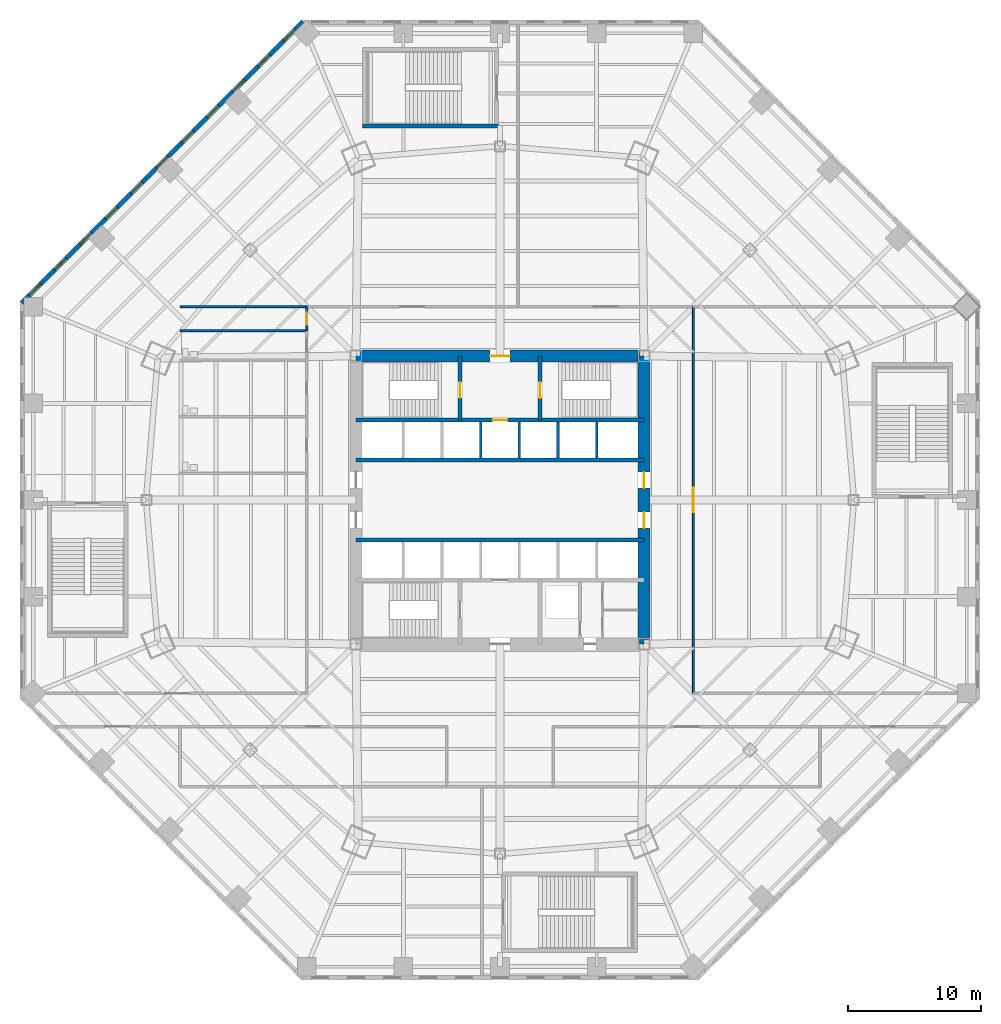
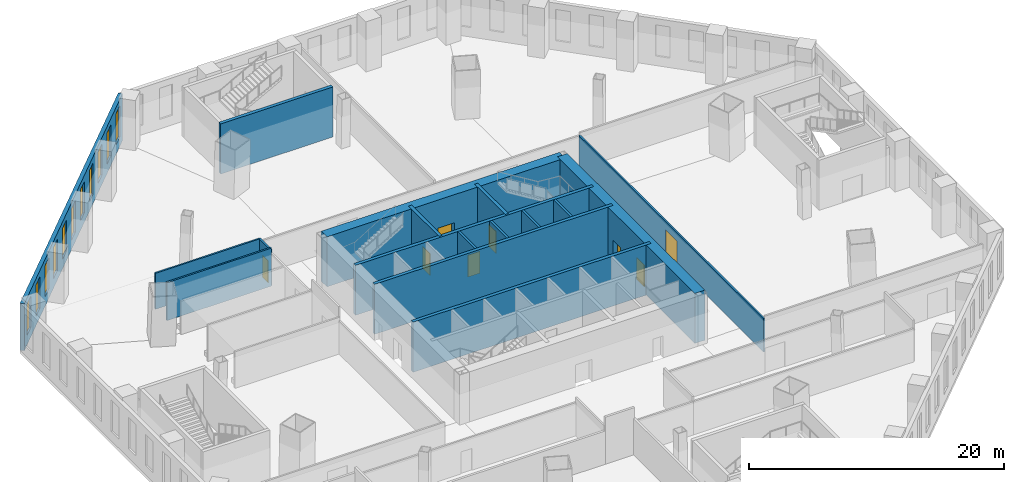
# One storey, part 12 of 19: 17 walls, 11 windows, 8 doors, 19 openings.
"""IFC4 building model written with IfcOpenShell, lengths in metres."""

import ifcopenshell
import ifcopenshell.guid

model = None  # the IFC model being written
_history = None  # IfcOwnerHistory: only IFC2X3 demands one
_inside = {}  # id of a spatial element -> (the spatial element, [elements in it])
_under = {}  # id of a project, library or spatial element -> (it, [spatial elements below it])
_declared = {}  # id of a project -> (the project, [libraries it declares])
_typed = {}  # id of a type object -> (the type object, [elements of that type])
_made_of = {}  # id of a material, layer set ... -> (it, [elements and type objects made of it])


def new_model(schema):
    """Start an empty IFC model of exactly this schema.

    Asked for "IFC4X3", IfcOpenShell would pick the latest addendum, in which some entities
    have other attributes; the version numbers below select the first issue.
    IFC2X3 requires an IfcOwnerHistory on every rooted entity: one is made here for all.
    """
    global model, _history
    if schema == "IFC4X3":
        model = ifcopenshell.file(schema_version=(4, 3, 0, 0))
    else:
        model = ifcopenshell.file(schema=schema)
    _inside.clear()
    _under.clear()
    _declared.clear()
    _typed.clear()
    _made_of.clear()
    _history = None
    if model.schema == "IFC2X3":
        org = make("IfcOrganization", Name="unknown")
        user = make(
            "IfcPersonAndOrganization",
            ThePerson=make("IfcPerson", FamilyName="unknown"),
            TheOrganization=org,
        )
        app = make(
            "IfcApplication",
            ApplicationDeveloper=org,
            Version="unknown",
            ApplicationFullName="unknown",
            ApplicationIdentifier="unknown",
        )
        _history = make(
            "IfcOwnerHistory",
            OwningUser=user,
            OwningApplication=app,
            ChangeAction="ADDED",
            CreationDate=0,
        )
    return model


def make(cls, **values):
    """One entity of the class cls with the attributes given. An attribute that is None is left unset."""
    return model.create_entity(
        cls, **{name: value for name, value in values.items() if value is not None}
    )


def rooted(cls, **values):
    """An entity with a GlobalId (a new one), such as an element, a storey or a relation."""
    return make(cls, GlobalId=ifcopenshell.guid.new(), OwnerHistory=_history, **values)


def si_unit(unit_type, name, prefix=None):
    """IfcSIUnit, for example si_unit("LENGTHUNIT", "METRE", prefix="MILLI")."""
    return make("IfcSIUnit", UnitType=unit_type, Prefix=prefix, Name=name)


def assignment(units):
    """IfcUnitAssignment: the units of a project."""
    return None if units is None else make("IfcUnitAssignment", Units=units)


def point(xyz):
    """IfcCartesianPoint."""
    return None if xyz is None else make("IfcCartesianPoint", Coordinates=xyz)


def direction(xyz):
    """IfcDirection."""
    return None if xyz is None else make("IfcDirection", DirectionRatios=xyz)


def frame(location, z_axis=None, x_axis=None):
    """IfcAxis2Placement3D, a coordinate frame: its origin and axes. An axis left out is left unset."""
    return make(
        "IfcAxis2Placement3D",
        Location=point(location),
        Axis=direction(z_axis),
        RefDirection=direction(x_axis),
    )


def frame_2d(location, x_axis=None):
    """IfcAxis2Placement2D, a coordinate frame in the plane: its origin and x axis."""
    return make(
        "IfcAxis2Placement2D", Location=point(location), RefDirection=direction(x_axis)
    )


def origin():
    """The frame at (0, 0, 0) with its axes left unset."""
    return frame((0.0, 0.0, 0.0))


def place(relative_to, where):
    """IfcLocalPlacement: puts the frame where relative to a parent placement (None: the world)."""
    return make(
        "IfcLocalPlacement", PlacementRelTo=relative_to, RelativePlacement=where
    )


def context(
    kind, dimensions, precision=None, world=None, true_north=None, identifier=None
):
    """IfcGeometricRepresentationContext, for example the 3D "Model" context."""
    return make(
        "IfcGeometricRepresentationContext",
        ContextIdentifier=identifier,
        ContextType=kind,
        CoordinateSpaceDimension=dimensions,
        Precision=precision,
        WorldCoordinateSystem=world,
        TrueNorth=true_north,
    )


def subcontext(parent, identifier, kind, view, scale=None):
    """IfcGeometricRepresentationSubContext, for example "Body" below "Model"."""
    return make(
        "IfcGeometricRepresentationSubContext",
        ContextIdentifier=identifier,
        ContextType=kind,
        ParentContext=parent,
        TargetScale=scale,
        TargetView=view,
    )


def project(units=None, contexts=None):
    """IfcProject with its units and contexts."""
    return rooted(
        "IfcProject",
        Name="project",
        RepresentationContexts=contexts,
        UnitsInContext=assignment(units),
    )


def spatial(cls, under=None, at=None, **own):
    """A site, building, storey or space (cls), placed at a placement, below another one or the project."""
    s = rooted(cls, ObjectPlacement=at, **own)
    if under is not None:
        _under.setdefault(under.id(), (under, []))[1].append(s)
    return s


def profile(cls, at=None, kind="AREA", **sizes):
    """A parametric profile (cls). Its sizes go by their IFC names, for example OverallWidth=200.0."""
    return make(cls, ProfileType=kind, Position=at, **sizes)


def rectangle(**sizes):
    """IfcRectangleProfileDef."""
    return profile("IfcRectangleProfileDef", **sizes)


def extrude(swept, where, along, depth):
    """IfcExtrudedAreaSolid: the profile swept, set in the frame where, extruded along a direction by depth."""
    return make(
        "IfcExtrudedAreaSolid",
        SweptArea=swept,
        Position=where,
        ExtrudedDirection=direction(along),
        Depth=depth,
    )


def shape(context_of_items, identifier, shape_type, items):
    """IfcShapeRepresentation: the items that make up one representation, for example the "Body"."""
    return make(
        "IfcShapeRepresentation",
        ContextOfItems=context_of_items,
        RepresentationIdentifier=identifier,
        RepresentationType=shape_type,
        Items=items,
    )


def material(Name=None, Category=None):
    """IfcMaterial."""
    return make("IfcMaterial", Name=Name, Category=Category)


def layer(
    of_material, thickness, ventilated=None, Name=None, Category=None, Priority=None
):
    """IfcMaterialLayer: one layer of a wall or slab, of a material (None: an air gap)."""
    return make(
        "IfcMaterialLayer",
        Material=of_material,
        LayerThickness=thickness,
        IsVentilated=ventilated,
        Name=Name,
        Category=Category,
        Priority=Priority,
    )


def layer_set(layers, Name=None):
    """IfcMaterialLayerSet."""
    return make("IfcMaterialLayerSet", MaterialLayers=layers, LayerSetName=Name)


def made_of(thing, what):
    """Note that an element or type object is made of a material, layer set ...; save() writes the relation."""
    if what is not None:
        _made_of.setdefault(what.id(), (what, []))[1].append(thing)
    return thing


def type_object(cls, material=None, **own):
    """A type object (cls), such as IfcWallType, which elements share."""
    return made_of(rooted(cls, **own), material)


def element(
    cls,
    number,
    at=None,
    inside=None,
    cuts=None,
    type_object=None,
    material=None,
    context=None,
    identifier="Body",
    shape_type=None,
    held_by="IfcProductDefinitionShape",
    body=None,
    shapes=None,
    **own,
):
    """One element of the class cls, such as IfcWall. Its Tag is "e" and its number.

    at: its placement. inside: the storey or other place that contains it. cuts: it is an
    opening in that element (IfcRelVoidsElement). A single representation is given by context,
    identifier, shape_type and body (its items); several are given by shapes. held_by: the class
    of the entity that holds the representations. save() writes the other relations.
    """
    e = rooted(cls, Tag="e%d" % number, ObjectPlacement=at, **own)
    if body is not None:
        shapes = [shape(context, identifier, shape_type, body)]
    if shapes is not None:
        e.Representation = make(held_by, Representations=shapes)
    if inside is not None:
        _inside.setdefault(inside.id(), (inside, []))[1].append(e)
    if cuts is not None:
        rooted(
            "IfcRelVoidsElement", RelatingBuildingElement=cuts, RelatedOpeningElement=e
        )
    if type_object is not None:
        _typed.setdefault(type_object.id(), (type_object, []))[1].append(e)
    return made_of(e, material)


def fill(opening, filler):
    """IfcRelFillsElement: the door or window that sits in an opening."""
    return rooted(
        "IfcRelFillsElement",
        RelatingOpeningElement=opening,
        RelatedBuildingElement=filler,
    )


def aggregate(whole, parts):
    """IfcRelAggregates: a whole, such as a stair, and the parts it consists of."""
    return rooted("IfcRelAggregates", RelatingObject=whole, RelatedObjects=parts)


def save(model, path):
    """Write the relations noted so far, then the file.

    IfcRelAggregates (storeys below a building ...), IfcRelContainedInSpatialStructure (elements
    in a storey), IfcRelDefinesByType, IfcRelAssociatesMaterial and IfcRelDeclares: one each for
    every whole, place, type object, material and project.
    """
    for whole, parts in _under.values():
        aggregate(whole, parts)
    for where, things in _inside.values():
        rooted(
            "IfcRelContainedInSpatialStructure",
            RelatedElements=things,
            RelatingStructure=where,
        )
    for kind, things in _typed.values():
        rooted("IfcRelDefinesByType", RelatedObjects=things, RelatingType=kind)
    for what, things in _made_of.values():
        rooted("IfcRelAssociatesMaterial", RelatedObjects=things, RelatingMaterial=what)
    for by, libraries in _declared.values():
        rooted("IfcRelDeclares", RelatingContext=by, RelatedDefinitions=libraries)
    model.write(path)


model = new_model("IFC4")

# Units and contexts
model_context = context("Model", 3, precision=1e-05, world=origin(), true_north=direction((0.0, 1.0)))
body_context = subcontext(model_context, "Body", "Model", "MODEL_VIEW")
ifc_project = project(units=[si_unit("LENGTHUNIT", "METRE"), si_unit("AREAUNIT", "SQUARE_METRE"), si_unit("VOLUMEUNIT", "CUBIC_METRE"), si_unit("PLANEANGLEUNIT", "RADIAN"), si_unit("MASSUNIT", "GRAM", prefix="KILO")], contexts=[model_context])

# Site, building, storey
site_placement = place(None, origin())
site = spatial("IfcSite", under=ifc_project, at=site_placement, CompositionType="ELEMENT")
building_placement = place(site_placement, origin())
building = spatial("IfcBuilding", under=site, at=building_placement, Name="Mashrafa Tower", CompositionType="ELEMENT")
storey_placement = place(building_placement, frame((0.0, 0.0, 24.0)))
storey = spatial("IfcBuildingStorey", under=building, at=storey_placement, Name="L04", CompositionType="ELEMENT", Elevation=24.0)

# Wall
ifc_material_1 = material(Name="Concrete C60/75", Category="concrete")
ifc_layer_1 = layer(ifc_material_1, 0.300048828125)
ifc_layer_set_1 = layer_set([ifc_layer_1], Name="Core wall 300 C60/75")
wall_type_1 = type_object("IfcWallType", Name="Core wall 300 C60/75", PredefinedType="SOLIDWALL", material=ifc_layer_set_1)
wall_1_placement = place(storey_placement, frame((-10.800048828125, 3.0, 0.0), z_axis=(0.0, 0.0, 1.0), x_axis=(1.0, 0.0, 0.0)))
element("IfcWall", 1, at=wall_1_placement, inside=storey, type_object=wall_type_1, Name="Core wall CH-N L04", PredefinedType="SOLIDWALL", context=body_context, shape_type="SweptSolid", body=[
    extrude(rectangle(XDim=21.60009765625, YDim=0.300048828125, at=frame_2d((10.800048828125, 0.0))), origin(), (0.0, 0.0, 1.0), 4.800048828125),
])

# Wall, opening, door
wall_2_placement = place(storey_placement, frame((-10.800048828125, 6.0, 0.0), z_axis=(0.0, 0.0, 1.0), x_axis=(1.0, 0.0, 0.0)))
wall_2 = element("IfcWall", 2, at=wall_2_placement, inside=storey, type_object=wall_type_1, Name="Core wall CB-N L04", PredefinedType="SOLIDWALL", context=body_context, shape_type="SweptSolid", body=[
    extrude(rectangle(XDim=21.60009765625, YDim=0.300048828125, at=frame_2d((10.800048828125, 0.0))), origin(), (0.0, 0.0, 1.0), 4.800048828125),
])
opening_1_placement = place(wall_2_placement, frame((10.25, 0.0, 0.0)))
opening_1 = element("IfcOpeningElement", 3, at=opening_1_placement, cuts=wall_2, Name="Opening 04.F1", PredefinedType="OPENING", context=body_context, shape_type="SweptSolid", body=[
    extrude(rectangle(XDim=1.10009765625, YDim=2.10009765625, at=frame_2d((0.550048828125, 1.050048828125))), frame((0.0, 0.159912109375, 0.0), z_axis=(0.0, -1.0, 0.0), x_axis=(1.0, 0.0, 0.0)), (0.0, 0.0, 1.0), 0.320068359375),
])
ifc_material_2 = material(Name="Steel door", Category="steel")
door_type_1 = type_object("IfcDoorType", Name="Lift landing door 1100 x 2100 90 min", OperationType="DOUBLE_DOOR_SLIDING", PredefinedType="DOOR", material=ifc_material_2)
door_1_placement = place(opening_1_placement, origin())
door_1 = element("IfcDoor", 4, at=door_1_placement, inside=storey, type_object=door_type_1, Name="Lift landing door F1 L04", OperationType="DOUBLE_DOOR_SLIDING", OverallHeight=2.10009765625, OverallWidth=1.10009765625, PredefinedType="DOOR", context=body_context, shape_type="SweptSolid", body=[
    extrude(rectangle(XDim=1.10009765625, YDim=2.10009765625, at=frame_2d((0.550048828125, 1.050048828125))), frame((0.0, 0.02490234375, 0.0), z_axis=(0.0, -1.0, 0.0), x_axis=(1.0, 0.0, 0.0)), (0.0, 0.0, 1.0), 0.050048828125),
])
fill(opening_1, door_1)

wall_3_placement = place(storey_placement, frame((-3.0, 6.0, 0.0), z_axis=(0.0, 0.0, 1.0), x_axis=(0.0, 1.0, 0.0)))
wall_3 = element("IfcWall", 5, at=wall_3_placement, inside=storey, type_object=wall_type_1, Name="Core wall CX-NW L04", PredefinedType="SOLIDWALL", context=body_context, shape_type="SweptSolid", body=[
    extrude(rectangle(XDim=4.800048828125, YDim=0.300048828125, at=frame_2d((2.39990234375, 0.0))), origin(), (0.0, 0.0, 1.0), 4.800048828125),
])
opening_2_placement = place(wall_3_placement, frame((1.64990234375, 0.0, 0.0)))
opening_2 = element("IfcOpeningElement", 6, at=opening_2_placement, cuts=wall_3, Name="Opening 04.019", PredefinedType="OPENING", context=body_context, shape_type="SweptSolid", body=[
    extrude(rectangle(XDim=1.199951171875, YDim=2.10009765625, at=frame_2d((0.60009765625, 1.050048828125))), frame((0.0, 0.159912109375, 0.0), z_axis=(0.0, -1.0, 0.0), x_axis=(1.0, 0.0, 0.0)), (0.0, 0.0, 1.0), 0.320068359375),
])
ifc_material_3 = material(Name="Steel door", Category="steel")
door_type_2 = type_object("IfcDoorType", Name="Stair door 1200 x 2100 90 min", OperationType="USERDEFINED", PredefinedType="DOOR", material=ifc_material_3)
door_2_placement = place(opening_2_placement, origin())
door_2 = element("IfcDoor", 7, at=door_2_placement, inside=storey, type_object=door_type_2, Name="Stair S1 door L04", OperationType="SINGLE_SWING_LEFT", OverallHeight=2.10009765625, OverallWidth=1.199951171875, PredefinedType="DOOR", context=body_context, shape_type="SweptSolid", body=[
    extrude(rectangle(XDim=1.199951171875, YDim=2.10009765625, at=frame_2d((0.60009765625, 1.050048828125))), frame((0.0, 0.02490234375, 0.0), z_axis=(0.0, -1.0, 0.0), x_axis=(1.0, 0.0, 0.0)), (0.0, 0.0, 1.0), 0.050048828125),
])
fill(opening_2, door_2)

wall_4_placement = place(storey_placement, frame((3.0, 6.0, 0.0), z_axis=(0.0, 0.0, 1.0), x_axis=(0.0, 1.0, 0.0)))
wall_4 = element("IfcWall", 8, at=wall_4_placement, inside=storey, type_object=wall_type_1, Name="Core wall CX-NE L04", PredefinedType="SOLIDWALL", context=body_context, shape_type="SweptSolid", body=[
    extrude(rectangle(XDim=4.800048828125, YDim=0.300048828125, at=frame_2d((2.39990234375, 0.0))), origin(), (0.0, 0.0, 1.0), 4.800048828125),
])
opening_3_placement = place(wall_4_placement, frame((1.64990234375, 0.0, 0.0)))
opening_3 = element("IfcOpeningElement", 9, at=opening_3_placement, cuts=wall_4, Name="Opening 04.020", PredefinedType="OPENING", context=body_context, shape_type="SweptSolid", body=[
    extrude(rectangle(XDim=1.199951171875, YDim=2.10009765625, at=frame_2d((0.60009765625, 1.050048828125))), frame((0.0, 0.159912109375, 0.0), z_axis=(0.0, -1.0, 0.0), x_axis=(1.0, 0.0, 0.0)), (0.0, 0.0, 1.0), 0.320068359375),
])
door_3_placement = place(opening_3_placement, frame((1.199951171875, 0.0, 0.0), z_axis=(0.0, 0.0, 1.0), x_axis=(-1.0, 0.0, 0.0)))
door_3 = element("IfcDoor", 10, at=door_3_placement, inside=storey, type_object=door_type_2, Name="Stair S2 door L04", OperationType="SINGLE_SWING_RIGHT", OverallHeight=2.10009765625, OverallWidth=1.199951171875, PredefinedType="DOOR", context=body_context, shape_type="SweptSolid", body=[
    extrude(rectangle(XDim=1.199951171875, YDim=2.10009765625, at=frame_2d((0.60009765625, 1.050048828125))), frame((0.0, 0.02490234375, 0.0), z_axis=(0.0, -1.0, 0.0), x_axis=(1.0, 0.0, 0.0)), (0.0, 0.0, 1.0), 0.050048828125),
])
fill(opening_3, door_3)

# Wall
wall_5_placement = place(storey_placement, frame((-10.800048828125, -3.0, 0.0), z_axis=(0.0, 0.0, 1.0), x_axis=(1.0, 0.0, 0.0)))
element("IfcWall", 11, at=wall_5_placement, inside=storey, type_object=wall_type_1, Name="Core wall CH-S L04", PredefinedType="SOLIDWALL", context=body_context, shape_type="SweptSolid", body=[
    extrude(rectangle(XDim=21.60009765625, YDim=0.300048828125, at=frame_2d((10.800048828125, 0.0))), origin(), (0.0, 0.0, 1.0), 4.800048828125),
])

# Wall, openings, doors
ifc_material_4 = material(Name="Concrete C60/75", Category="concrete")
ifc_layer_2 = layer(ifc_material_4, 0.89990234375)
ifc_layer_set_2 = layer_set([ifc_layer_2], Name="Core wall 900 C60/75")
wall_type_2 = type_object("IfcWallType", Name="Core wall 900 C60/75", PredefinedType="SOLIDWALL", material=ifc_layer_set_2)
wall_6_placement = place(storey_placement, frame((10.800048828125, -10.800048828125, 0.0), z_axis=(0.0, 0.0, 1.0), x_axis=(0.0, 1.0, 0.0)))
wall_6 = element("IfcWall", 12, at=wall_6_placement, inside=storey, type_object=wall_type_2, Name="Core wall CW-E L04", PredefinedType="SOLIDWALL", context=body_context, shape_type="SweptSolid", body=[
    extrude(rectangle(XDim=21.60009765625, YDim=0.89990234375, at=frame_2d((10.800048828125, 0.0))), origin(), (0.0, 0.0, 1.0), 4.800048828125),
])
opening_4_placement = place(wall_6_placement, frame((11.699951171875, 0.0, 0.0)))
opening_4 = element("IfcOpeningElement", 13, at=opening_4_placement, cuts=wall_6, Name="Opening 04.013", PredefinedType="OPENING", context=body_context, shape_type="SweptSolid", body=[
    extrude(rectangle(XDim=1.199951171875, YDim=2.10009765625, at=frame_2d((0.60009765625, 1.050048828125))), frame((0.0, 0.4599609375, 0.0), z_axis=(0.0, -1.0, 0.0), x_axis=(1.0, 0.0, 0.0)), (0.0, 0.0, 1.0), 0.919921875),
])
opening_5_placement = place(wall_6_placement, frame((8.699951171875, 0.0, 0.0)))
opening_5 = element("IfcOpeningElement", 14, at=opening_5_placement, cuts=wall_6, Name="Opening 04.015", PredefinedType="OPENING", context=body_context, shape_type="SweptSolid", body=[
    extrude(rectangle(XDim=1.199951171875, YDim=2.10009765625, at=frame_2d((0.60009765625, 1.050048828125))), frame((0.0, 0.4599609375, 0.0), z_axis=(0.0, -1.0, 0.0), x_axis=(1.0, 0.0, 0.0)), (0.0, 0.0, 1.0), 0.919921875),
])
ifc_material_5 = material(Name="Steel door", Category="steel")
door_type_3 = type_object("IfcDoorType", Name="Lift hall door 1200 x 2100 90 min", OperationType="USERDEFINED", PredefinedType="DOOR", material=ifc_material_5)
door_4_placement = place(opening_4_placement, frame((1.199951171875, 0.0, 0.0), z_axis=(0.0, 0.0, 1.0), x_axis=(-1.0, 0.0, 0.0)))
door_4 = element("IfcDoor", 15, at=door_4_placement, inside=storey, type_object=door_type_3, Name="Lift hall door east L04", OperationType="SINGLE_SWING_LEFT", OverallHeight=2.10009765625, OverallWidth=1.199951171875, PredefinedType="DOOR", context=body_context, shape_type="SweptSolid", body=[
    extrude(rectangle(XDim=1.199951171875, YDim=2.10009765625, at=frame_2d((0.60009765625, 1.050048828125))), frame((0.0, 0.02490234375, 0.0), z_axis=(0.0, -1.0, 0.0), x_axis=(1.0, 0.0, 0.0)), (0.0, 0.0, 1.0), 0.050048828125),
])
fill(opening_4, door_4)
door_5_placement = place(opening_5_placement, frame((1.199951171875, 0.0, 0.0), z_axis=(0.0, 0.0, 1.0), x_axis=(-1.0, 0.0, 0.0)))
door_5 = element("IfcDoor", 16, at=door_5_placement, inside=storey, type_object=door_type_3, Name="Lift hall door east L04", OperationType="SINGLE_SWING_RIGHT", OverallHeight=2.10009765625, OverallWidth=1.199951171875, PredefinedType="DOOR", context=body_context, shape_type="SweptSolid", body=[
    extrude(rectangle(XDim=1.199951171875, YDim=2.10009765625, at=frame_2d((0.60009765625, 1.050048828125))), frame((0.0, 0.02490234375, 0.0), z_axis=(0.0, -1.0, 0.0), x_axis=(1.0, 0.0, 0.0)), (0.0, 0.0, 1.0), 0.050048828125),
])
fill(opening_5, door_5)

# Wall, opening, door
wall_7_placement = place(storey_placement, frame((10.800048828125, 10.800048828125, 0.0), z_axis=(0.0, 0.0, 1.0), x_axis=(-1.0, 0.0, 0.0)))
wall_7 = element("IfcWall", 17, at=wall_7_placement, inside=storey, type_object=wall_type_2, Name="Core wall CW-N L04", PredefinedType="SOLIDWALL", context=body_context, shape_type="SweptSolid", body=[
    extrude(rectangle(XDim=21.60009765625, YDim=0.89990234375, at=frame_2d((10.800048828125, 0.0))), origin(), (0.0, 0.0, 1.0), 4.800048828125),
])
opening_6_placement = place(wall_7_placement, frame((10.050048828125, 0.0, 0.0)))
opening_6 = element("IfcOpeningElement", 18, at=opening_6_placement, cuts=wall_7, Name="Opening 04.017", PredefinedType="OPENING", context=body_context, shape_type="SweptSolid", body=[
    extrude(rectangle(XDim=1.5, YDim=2.10009765625, at=frame_2d((0.75, 1.050048828125))), frame((0.0, 0.4599609375, 0.0), z_axis=(0.0, -1.0, 0.0), x_axis=(1.0, 0.0, 0.0)), (0.0, 0.0, 1.0), 0.919921875),
])
ifc_material_6 = material(Name="Steel door", Category="steel")
door_type_4 = type_object("IfcDoorType", Name="Lobby door pair 1500 x 2100 90 min", OperationType="DOUBLE_DOOR_SINGLE_SWING", PredefinedType="DOOR", material=ifc_material_6)
door_6_placement = place(opening_6_placement, origin())
door_6 = element("IfcDoor", 19, at=door_6_placement, inside=storey, type_object=door_type_4, Name="Fire-fighting lobby F1 door L04", OperationType="DOUBLE_DOOR_SINGLE_SWING", OverallHeight=2.10009765625, OverallWidth=1.5, PredefinedType="DOOR", context=body_context, shape_type="SweptSolid", body=[
    extrude(rectangle(XDim=1.5, YDim=2.10009765625, at=frame_2d((0.75, 1.050048828125))), frame((0.0, 0.02490234375, 0.0), z_axis=(0.0, -1.0, 0.0), x_axis=(1.0, 0.0, 0.0)), (0.0, 0.0, 1.0), 0.050048828125),
])
fill(opening_6, door_6)

ifc_material_7 = material(Name="Gypsum board on steel studs", Category="steel")
ifc_layer_3 = layer(ifc_material_7, 0.14990234375)
ifc_layer_set_3 = layer_set([ifc_layer_3], Name="Corridor partition 150 1 hr")
wall_type_3 = type_object("IfcWallType", Name="Corridor partition 150 1 hr", PredefinedType="PARTITIONING", material=ifc_layer_set_3)
wall_8_placement = place(storey_placement, frame((-14.5, 12.699951171875, 0.0), z_axis=(0.0, 0.0, 1.0), x_axis=(0.0, 1.0, 0.0)))
wall_8 = element("IfcWall", 20, at=wall_8_placement, inside=storey, type_object=wall_type_3, Name="Corridor wall L04-009", PredefinedType="PARTITIONING", context=body_context, shape_type="SweptSolid", body=[
    extrude(rectangle(XDim=1.800048828125, YDim=0.14990234375, at=frame_2d((0.89990234375, 0.0))), origin(), (0.0, 0.0, 1.0), 3.448486328125),
])
opening_7_placement = place(wall_8_placement, frame((0.449951171875, 0.0, 0.0)))
opening_7 = element("IfcOpeningElement", 21, at=opening_7_placement, cuts=wall_8, Name="Opening 04.004", PredefinedType="OPENING", context=body_context, shape_type="SweptSolid", body=[
    extrude(rectangle(XDim=0.89990234375, YDim=2.10009765625, at=frame_2d((0.449951171875, 1.050048828125))), frame((0.0, 0.0849609375, 0.0), z_axis=(0.0, -1.0, 0.0), x_axis=(1.0, 0.0, 0.0)), (0.0, 0.0, 1.0), 0.169921875),
])
ifc_material_8 = material(Name="Timber door", Category="wood")
door_type_5 = type_object("IfcDoorType", Name="Store door 900 x 2100", OperationType="USERDEFINED", PredefinedType="DOOR", material=ifc_material_8)
door_7_placement = place(opening_7_placement, origin())
door_7 = element("IfcDoor", 22, at=door_7_placement, inside=storey, type_object=door_type_5, Name="Cleaner's Store L04 door", OperationType="SINGLE_SWING_LEFT", OverallHeight=2.10009765625, OverallWidth=0.89990234375, PredefinedType="DOOR", context=body_context, shape_type="SweptSolid", body=[
    extrude(rectangle(XDim=0.89990234375, YDim=2.10009765625, at=frame_2d((0.449951171875, 1.050048828125))), frame((0.0, 0.02490234375, 0.0), z_axis=(0.0, -1.0, 0.0), x_axis=(1.0, 0.0, 0.0)), (0.0, 0.0, 1.0), 0.050048828125),
])
fill(opening_7, door_7)

wall_9_placement = place(storey_placement, frame((14.5, 14.5, 0.0), z_axis=(0.0, 0.0, 1.0), x_axis=(0.0, -1.0, 0.0)))
wall_9 = element("IfcWall", 23, at=wall_9_placement, inside=storey, type_object=wall_type_3, Name="Corridor wall L04-025", PredefinedType="PARTITIONING", context=body_context, shape_type="SweptSolid", body=[
    extrude(rectangle(XDim=29.0, YDim=0.14990234375, at=frame_2d((14.5, 0.0))), origin(), (0.0, 0.0, 1.0), 3.18994140625),
])
opening_8_placement = place(wall_9_placement, frame((13.60009765625, 0.0, 0.0)))
opening_8 = element("IfcOpeningElement", 24, at=opening_8_placement, cuts=wall_9, Name="Opening 04.010", PredefinedType="OPENING", context=body_context, shape_type="SweptSolid", body=[
    extrude(rectangle(XDim=1.800048828125, YDim=2.39990234375, at=frame_2d((0.89990234375, 1.199951171875))), frame((0.0, 0.0849609375, 0.0), z_axis=(0.0, -1.0, 0.0), x_axis=(1.0, 0.0, 0.0)), (0.0, 0.0, 1.0), 0.169921875),
])
ifc_material_9 = material(Name="Timber door", Category="wood")
door_type_6 = type_object("IfcDoorType", Name="Door pair 1800 x 2400", OperationType="DOUBLE_DOOR_SINGLE_SWING", PredefinedType="DOOR", material=ifc_material_9)
door_8_placement = place(opening_8_placement, origin())
door_8 = element("IfcDoor", 25, at=door_8_placement, inside=storey, type_object=door_type_6, Name="Civic Office 403 door", OperationType="DOUBLE_DOOR_SINGLE_SWING", OverallHeight=2.39990234375, OverallWidth=1.800048828125, PredefinedType="DOOR", context=body_context, shape_type="SweptSolid", body=[
    extrude(rectangle(XDim=1.800048828125, YDim=2.39990234375, at=frame_2d((0.89990234375, 1.199951171875))), frame((0.0, 0.02490234375, 0.0), z_axis=(0.0, -1.0, 0.0), x_axis=(1.0, 0.0, 0.0)), (0.0, 0.0, 1.0), 0.050048828125),
])
fill(opening_8, door_8)

# Wall, openings, windows
ifc_material_10 = material(Name="Riyadh limestone cladding on blockwork", Category="masonry")
ifc_layer_4 = layer(ifc_material_10, 0.35009765625)
ifc_layer_set_4 = layer_set([ifc_layer_4], Name="Limestone-clad external wall 350")
wall_type_4 = type_object("IfcWallType", Name="Limestone-clad external wall 350", PredefinedType="SOLIDWALL", material=ifc_layer_set_4)
wall_10_placement = place(storey_placement, frame((-14.787841796875, 35.876220703125, 0.0), z_axis=(0.0, 0.0, 1.0), x_axis=(-0.707106781187, -0.707106781187, 0.0)))
wall_10 = element("IfcWall", 26, at=wall_10_placement, inside=storey, type_object=wall_type_4, Name="Limestone-clad external wall L04 north-west", PredefinedType="SOLIDWALL", context=body_context, shape_type="SweptSolid", body=[
    extrude(rectangle(XDim=29.823486328125, YDim=0.35009765625, at=frame_2d((14.91162109375, 0.0))), origin(), (0.0, 0.0, 1.0), 4.5),
])
opening_9_placement = place(wall_10_placement, frame((0.821533203125, 0.0, 0.89990234375)))
opening_9 = element("IfcOpeningElement", 27, at=opening_9_placement, cuts=wall_10, Name="Opening W3", PredefinedType="OPENING", context=body_context, shape_type="SweptSolid", body=[
    extrude(rectangle(XDim=1.199951171875, YDim=3.0, at=frame_2d((0.60009765625, 1.5))), frame((0.0, 0.18505859375, 0.0), z_axis=(0.0, -1.0, 0.0), x_axis=(1.0, 0.0, 0.0)), (0.0, 0.0, 1.0), 0.3701171875),
])
opening_10_placement = place(wall_10_placement, frame((3.51953125, 0.0, 0.89990234375)))
opening_10 = element("IfcOpeningElement", 28, at=opening_10_placement, cuts=wall_10, Name="Opening W3", PredefinedType="OPENING", context=body_context, shape_type="SweptSolid", body=[
    extrude(rectangle(XDim=1.199951171875, YDim=3.0, at=frame_2d((0.60009765625, 1.5))), frame((0.0, 0.18505859375, 0.0), z_axis=(0.0, -1.0, 0.0), x_axis=(1.0, 0.0, 0.0)), (0.0, 0.0, 1.0), 0.3701171875),
])
opening_11_placement = place(wall_10_placement, frame((6.217529296875, 0.0, 0.89990234375)))
opening_11 = element("IfcOpeningElement", 29, at=opening_11_placement, cuts=wall_10, Name="Opening W3", PredefinedType="OPENING", context=body_context, shape_type="SweptSolid", body=[
    extrude(rectangle(XDim=1.199951171875, YDim=3.0, at=frame_2d((0.60009765625, 1.5))), frame((0.0, 0.18505859375, 0.0), z_axis=(0.0, -1.0, 0.0), x_axis=(1.0, 0.0, 0.0)), (0.0, 0.0, 1.0), 0.3701171875),
])
opening_12_placement = place(wall_10_placement, frame((8.91552734375, 0.0, 0.89990234375)))
opening_12 = element("IfcOpeningElement", 30, at=opening_12_placement, cuts=wall_10, Name="Opening W3", PredefinedType="OPENING", context=body_context, shape_type="SweptSolid", body=[
    extrude(rectangle(XDim=1.199951171875, YDim=3.0, at=frame_2d((0.60009765625, 1.5))), frame((0.0, 0.18505859375, 0.0), z_axis=(0.0, -1.0, 0.0), x_axis=(1.0, 0.0, 0.0)), (0.0, 0.0, 1.0), 0.3701171875),
])
opening_13_placement = place(wall_10_placement, frame((11.61376953125, 0.0, 0.89990234375)))
opening_13 = element("IfcOpeningElement", 31, at=opening_13_placement, cuts=wall_10, Name="Opening W3", PredefinedType="OPENING", context=body_context, shape_type="SweptSolid", body=[
    extrude(rectangle(XDim=1.199951171875, YDim=3.0, at=frame_2d((0.60009765625, 1.5))), frame((0.0, 0.18505859375, 0.0), z_axis=(0.0, -1.0, 0.0), x_axis=(1.0, 0.0, 0.0)), (0.0, 0.0, 1.0), 0.3701171875),
])
opening_14_placement = place(wall_10_placement, frame((14.311767578125, 0.0, 0.89990234375)))
opening_14 = element("IfcOpeningElement", 32, at=opening_14_placement, cuts=wall_10, Name="Opening W3", PredefinedType="OPENING", context=body_context, shape_type="SweptSolid", body=[
    extrude(rectangle(XDim=1.199951171875, YDim=3.0, at=frame_2d((0.60009765625, 1.5))), frame((0.0, 0.18505859375, 0.0), z_axis=(0.0, -1.0, 0.0), x_axis=(1.0, 0.0, 0.0)), (0.0, 0.0, 1.0), 0.3701171875),
])
opening_15_placement = place(wall_10_placement, frame((17.009765625, 0.0, 0.89990234375)))
opening_15 = element("IfcOpeningElement", 33, at=opening_15_placement, cuts=wall_10, Name="Opening W3", PredefinedType="OPENING", context=body_context, shape_type="SweptSolid", body=[
    extrude(rectangle(XDim=1.199951171875, YDim=3.0, at=frame_2d((0.60009765625, 1.5))), frame((0.0, 0.18505859375, 0.0), z_axis=(0.0, -1.0, 0.0), x_axis=(1.0, 0.0, 0.0)), (0.0, 0.0, 1.0), 0.3701171875),
])
opening_16_placement = place(wall_10_placement, frame((19.707763671875, 0.0, 0.89990234375)))
opening_16 = element("IfcOpeningElement", 34, at=opening_16_placement, cuts=wall_10, Name="Opening W3", PredefinedType="OPENING", context=body_context, shape_type="SweptSolid", body=[
    extrude(rectangle(XDim=1.199951171875, YDim=3.0, at=frame_2d((0.60009765625, 1.5))), frame((0.0, 0.18505859375, 0.0), z_axis=(0.0, -1.0, 0.0), x_axis=(1.0, 0.0, 0.0)), (0.0, 0.0, 1.0), 0.3701171875),
])
opening_17_placement = place(wall_10_placement, frame((22.40576171875, 0.0, 0.89990234375)))
opening_17 = element("IfcOpeningElement", 35, at=opening_17_placement, cuts=wall_10, Name="Opening W3", PredefinedType="OPENING", context=body_context, shape_type="SweptSolid", body=[
    extrude(rectangle(XDim=1.199951171875, YDim=3.0, at=frame_2d((0.60009765625, 1.5))), frame((0.0, 0.18505859375, 0.0), z_axis=(0.0, -1.0, 0.0), x_axis=(1.0, 0.0, 0.0)), (0.0, 0.0, 1.0), 0.3701171875),
])
opening_18_placement = place(wall_10_placement, frame((25.103759765625, 0.0, 0.89990234375)))
opening_18 = element("IfcOpeningElement", 36, at=opening_18_placement, cuts=wall_10, Name="Opening W3", PredefinedType="OPENING", context=body_context, shape_type="SweptSolid", body=[
    extrude(rectangle(XDim=1.199951171875, YDim=3.0, at=frame_2d((0.60009765625, 1.5))), frame((0.0, 0.18505859375, 0.0), z_axis=(0.0, -1.0, 0.0), x_axis=(1.0, 0.0, 0.0)), (0.0, 0.0, 1.0), 0.3701171875),
])
opening_19_placement = place(wall_10_placement, frame((27.8017578125, 0.0, 0.89990234375)))
opening_19 = element("IfcOpeningElement", 37, at=opening_19_placement, cuts=wall_10, Name="Opening W3", PredefinedType="OPENING", context=body_context, shape_type="SweptSolid", body=[
    extrude(rectangle(XDim=1.199951171875, YDim=3.0, at=frame_2d((0.60009765625, 1.5))), frame((0.0, 0.18505859375, 0.0), z_axis=(0.0, -1.0, 0.0), x_axis=(1.0, 0.0, 0.0)), (0.0, 0.0, 1.0), 0.3701171875),
])
ifc_material_11 = material(Name="Bronze-framed insulated glazing", Category="glass")
window_type = type_object("IfcWindowType", Name="Tall punched window 1200 x 3000", PartitioningType="DOUBLE_PANEL_HORIZONTAL", PredefinedType="WINDOW", material=ifc_material_11)
window_1_placement = place(opening_9_placement, origin())
window_1 = element("IfcWindow", 38, at=window_1_placement, inside=storey, type_object=window_type, Name="Window W3 L04 north-west bay 1", OverallHeight=3.0, OverallWidth=1.199951171875, PartitioningType="SINGLE_PANEL", PredefinedType="WINDOW", context=body_context, shape_type="SweptSolid", body=[
    extrude(rectangle(XDim=1.199951171875, YDim=3.0, at=frame_2d((0.60009765625, 1.5))), frame((0.0, 0.030029296875, 0.0), z_axis=(0.0, -1.0, 0.0), x_axis=(1.0, 0.0, 0.0)), (0.0, 0.0, 1.0), 0.06005859375),
])
fill(opening_9, window_1)
window_2_placement = place(opening_10_placement, origin())
window_2 = element("IfcWindow", 39, at=window_2_placement, inside=storey, type_object=window_type, Name="Window W3 L04 north-west bay 2", OverallHeight=3.0, OverallWidth=1.199951171875, PartitioningType="SINGLE_PANEL", PredefinedType="WINDOW", context=body_context, shape_type="SweptSolid", body=[
    extrude(rectangle(XDim=1.199951171875, YDim=3.0, at=frame_2d((0.60009765625, 1.5))), frame((0.0, 0.030029296875, 0.0), z_axis=(0.0, -1.0, 0.0), x_axis=(1.0, 0.0, 0.0)), (0.0, 0.0, 1.0), 0.06005859375),
])
fill(opening_10, window_2)
window_3_placement = place(opening_11_placement, origin())
window_3 = element("IfcWindow", 40, at=window_3_placement, inside=storey, type_object=window_type, Name="Window W3 L04 north-west bay 3", OverallHeight=3.0, OverallWidth=1.199951171875, PartitioningType="SINGLE_PANEL", PredefinedType="WINDOW", context=body_context, shape_type="SweptSolid", body=[
    extrude(rectangle(XDim=1.199951171875, YDim=3.0, at=frame_2d((0.60009765625, 1.5))), frame((0.0, 0.030029296875, 0.0), z_axis=(0.0, -1.0, 0.0), x_axis=(1.0, 0.0, 0.0)), (0.0, 0.0, 1.0), 0.06005859375),
])
fill(opening_11, window_3)
window_4_placement = place(opening_12_placement, origin())
window_4 = element("IfcWindow", 41, at=window_4_placement, inside=storey, type_object=window_type, Name="Window W3 L04 north-west bay 4", OverallHeight=3.0, OverallWidth=1.199951171875, PartitioningType="SINGLE_PANEL", PredefinedType="WINDOW", context=body_context, shape_type="SweptSolid", body=[
    extrude(rectangle(XDim=1.199951171875, YDim=3.0, at=frame_2d((0.60009765625, 1.5))), frame((0.0, 0.030029296875, 0.0), z_axis=(0.0, -1.0, 0.0), x_axis=(1.0, 0.0, 0.0)), (0.0, 0.0, 1.0), 0.06005859375),
])
fill(opening_12, window_4)
window_5_placement = place(opening_13_placement, origin())
window_5 = element("IfcWindow", 42, at=window_5_placement, inside=storey, type_object=window_type, Name="Window W3 L04 north-west bay 5", OverallHeight=3.0, OverallWidth=1.199951171875, PartitioningType="SINGLE_PANEL", PredefinedType="WINDOW", context=body_context, shape_type="SweptSolid", body=[
    extrude(rectangle(XDim=1.199951171875, YDim=3.0, at=frame_2d((0.60009765625, 1.5))), frame((0.0, 0.030029296875, 0.0), z_axis=(0.0, -1.0, 0.0), x_axis=(1.0, 0.0, 0.0)), (0.0, 0.0, 1.0), 0.06005859375),
])
fill(opening_13, window_5)
window_6_placement = place(opening_14_placement, origin())
window_6 = element("IfcWindow", 43, at=window_6_placement, inside=storey, type_object=window_type, Name="Window W3 L04 north-west bay 6", OverallHeight=3.0, OverallWidth=1.199951171875, PartitioningType="SINGLE_PANEL", PredefinedType="WINDOW", context=body_context, shape_type="SweptSolid", body=[
    extrude(rectangle(XDim=1.199951171875, YDim=3.0, at=frame_2d((0.60009765625, 1.5))), frame((0.0, 0.030029296875, 0.0), z_axis=(0.0, -1.0, 0.0), x_axis=(1.0, 0.0, 0.0)), (0.0, 0.0, 1.0), 0.06005859375),
])
fill(opening_14, window_6)
window_7_placement = place(opening_15_placement, origin())
window_7 = element("IfcWindow", 44, at=window_7_placement, inside=storey, type_object=window_type, Name="Window W3 L04 north-west bay 7", OverallHeight=3.0, OverallWidth=1.199951171875, PartitioningType="SINGLE_PANEL", PredefinedType="WINDOW", context=body_context, shape_type="SweptSolid", body=[
    extrude(rectangle(XDim=1.199951171875, YDim=3.0, at=frame_2d((0.60009765625, 1.5))), frame((0.0, 0.030029296875, 0.0), z_axis=(0.0, -1.0, 0.0), x_axis=(1.0, 0.0, 0.0)), (0.0, 0.0, 1.0), 0.06005859375),
])
fill(opening_15, window_7)
window_8_placement = place(opening_16_placement, origin())
window_8 = element("IfcWindow", 45, at=window_8_placement, inside=storey, type_object=window_type, Name="Window W3 L04 north-west bay 8", OverallHeight=3.0, OverallWidth=1.199951171875, PartitioningType="SINGLE_PANEL", PredefinedType="WINDOW", context=body_context, shape_type="SweptSolid", body=[
    extrude(rectangle(XDim=1.199951171875, YDim=3.0, at=frame_2d((0.60009765625, 1.5))), frame((0.0, 0.030029296875, 0.0), z_axis=(0.0, -1.0, 0.0), x_axis=(1.0, 0.0, 0.0)), (0.0, 0.0, 1.0), 0.06005859375),
])
fill(opening_16, window_8)
window_9_placement = place(opening_17_placement, origin())
window_9 = element("IfcWindow", 46, at=window_9_placement, inside=storey, type_object=window_type, Name="Window W3 L04 north-west bay 9", OverallHeight=3.0, OverallWidth=1.199951171875, PartitioningType="SINGLE_PANEL", PredefinedType="WINDOW", context=body_context, shape_type="SweptSolid", body=[
    extrude(rectangle(XDim=1.199951171875, YDim=3.0, at=frame_2d((0.60009765625, 1.5))), frame((0.0, 0.030029296875, 0.0), z_axis=(0.0, -1.0, 0.0), x_axis=(1.0, 0.0, 0.0)), (0.0, 0.0, 1.0), 0.06005859375),
])
fill(opening_17, window_9)
window_10_placement = place(opening_18_placement, origin())
window_10 = element("IfcWindow", 47, at=window_10_placement, inside=storey, type_object=window_type, Name="Window W3 L04 north-west bay 10", OverallHeight=3.0, OverallWidth=1.199951171875, PartitioningType="SINGLE_PANEL", PredefinedType="WINDOW", context=body_context, shape_type="SweptSolid", body=[
    extrude(rectangle(XDim=1.199951171875, YDim=3.0, at=frame_2d((0.60009765625, 1.5))), frame((0.0, 0.030029296875, 0.0), z_axis=(0.0, -1.0, 0.0), x_axis=(1.0, 0.0, 0.0)), (0.0, 0.0, 1.0), 0.06005859375),
])
fill(opening_18, window_10)
window_11_placement = place(opening_19_placement, origin())
window_11 = element("IfcWindow", 48, at=window_11_placement, inside=storey, type_object=window_type, Name="Window W3 L04 north-west bay 11", OverallHeight=3.0, OverallWidth=1.199951171875, PartitioningType="SINGLE_PANEL", PredefinedType="WINDOW", context=body_context, shape_type="SweptSolid", body=[
    extrude(rectangle(XDim=1.199951171875, YDim=3.0, at=frame_2d((0.60009765625, 1.5))), frame((0.0, 0.030029296875, 0.0), z_axis=(0.0, -1.0, 0.0), x_axis=(1.0, 0.0, 0.0)), (0.0, 0.0, 1.0), 0.06005859375),
])
fill(opening_19, window_11)

# Walls
ifc_material_12 = material(Name="Gypsum board on steel studs", Category="steel")
ifc_layer_5 = layer(ifc_material_12, 0.14990234375)
ifc_layer_set_5 = layer_set([ifc_layer_5], Name="Partition 150")
wall_type_5 = type_object("IfcWallType", Name="Partition 150", PredefinedType="PARTITIONING", material=ifc_layer_set_5)
wall_11_placement = place(storey_placement, frame((-14.5, 12.699951171875, 0.0), z_axis=(0.0, 0.0, 1.0), x_axis=(-1.0, 0.0, 0.0)))
element("IfcWall", 49, at=wall_11_placement, inside=storey, type_object=wall_type_5, Name="Partition wall L04-006", PredefinedType="PARTITIONING", context=body_context, shape_type="SweptSolid", body=[
    extrude(rectangle(XDim=9.5, YDim=0.14990234375, at=frame_2d((4.75, 0.0))), origin(), (0.0, 0.0, 1.0), 3.6494140625),
])
wall_12_placement = place(storey_placement, frame((-14.5, 14.5, 0.0), z_axis=(0.0, 0.0, 1.0), x_axis=(-1.0, 0.0, 0.0)))
element("IfcWall", 50, at=wall_12_placement, inside=storey, type_object=wall_type_5, Name="Partition wall L04-008", PredefinedType="PARTITIONING", context=body_context, shape_type="SweptSolid", body=[
    extrude(rectangle(XDim=9.5, YDim=0.14990234375, at=frame_2d((4.75, 0.0))), origin(), (0.0, 0.0, 1.0), 3.448486328125),
])
ifc_material_13 = material(Name="Gypsum shaft wall on steel studs", Category="steel")
ifc_layer_6 = layer(ifc_material_13, 0.199951171875)
ifc_layer_set_6 = layer_set([ifc_layer_6], Name="Shaft divider wall 200 2 hr")
wall_type_6 = type_object("IfcWallType", Name="Shaft divider wall 200 2 hr", PredefinedType="PARTITIONING", material=ifc_layer_set_6)
for number, where, z_axis, x_axis, name in (
    (51, (-1.449951171875, 3.14990234375, 0.0), (0.0, 0.0, 1.0), (0.0, 1.0, 0.0), "Shaft divider wall N3 L04"),
    (52, (1.449951171875, 3.14990234375, 0.0), (0.0, 0.0, 1.0), (0.0, 1.0, 0.0), "Shaft divider wall N4 L04"),
    (53, (4.35009765625, 3.14990234375, 0.0), (0.0, 0.0, 1.0), (0.0, 1.0, 0.0), "Shaft divider wall N5 L04"),
    (54, (7.25, 3.14990234375, 0.0), (0.0, 0.0, 1.0), (0.0, 1.0, 0.0), "Shaft divider wall N6 L04"),
):
    element("IfcWall", number, at=place(storey_placement, frame(where, z_axis=z_axis, x_axis=x_axis)), inside=storey, type_object=wall_type_6, Name=name, PredefinedType="PARTITIONING", context=body_context, shape_type="SweptSolid", body=[
        extrude(rectangle(XDim=2.7001953125, YDim=0.199951171875, at=frame_2d((1.35009765625, 0.0))), origin(), (0.0, 0.0, 1.0), 4.800048828125),
    ])
ifc_material_14 = material(Name="Concrete C35/45", Category="concrete")
ifc_layer_7 = layer(ifc_material_14, 0.300048828125)
ifc_layer_set_7 = layer_set([ifc_layer_7], Name="Stair core wall 300 3 hr")
wall_type_7 = type_object("IfcWallType", Name="Stair core wall 300 3 hr", PredefinedType="SOLIDWALL", material=ifc_layer_set_7)
wall_13_placement = place(storey_placement, frame((-10.300048828125, 28.050048828125, 0.0), z_axis=(0.0, 0.0, 1.0), x_axis=(1.0, 0.0, 0.0)))
element("IfcWall", 55, at=wall_13_placement, inside=storey, type_object=wall_type_7, Name="Stair P2 core wall S L04", PredefinedType="SOLIDWALL", context=body_context, shape_type="SweptSolid", body=[
    extrude(rectangle(XDim=10.199951171875, YDim=0.300048828125, at=frame_2d((5.10009765625, 0.0))), origin(), (0.0, 0.0, 1.0), 4.800048828125),
])

save(model, "model.ifc")
